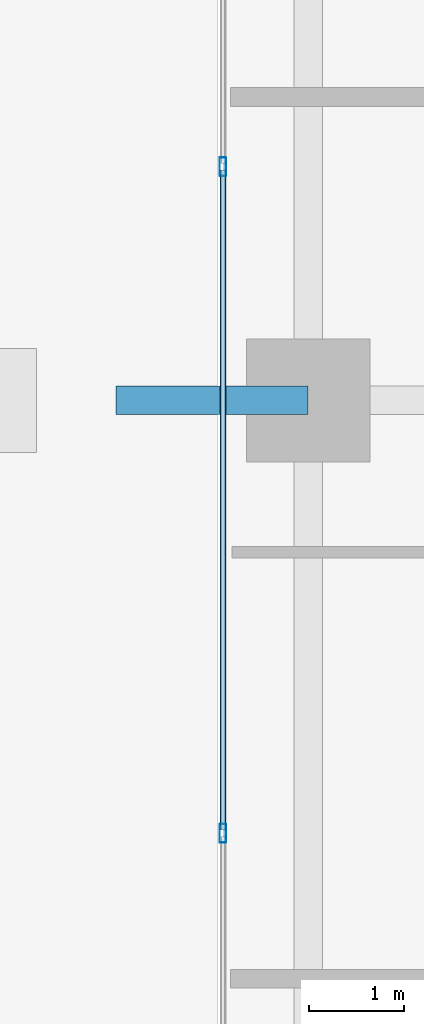
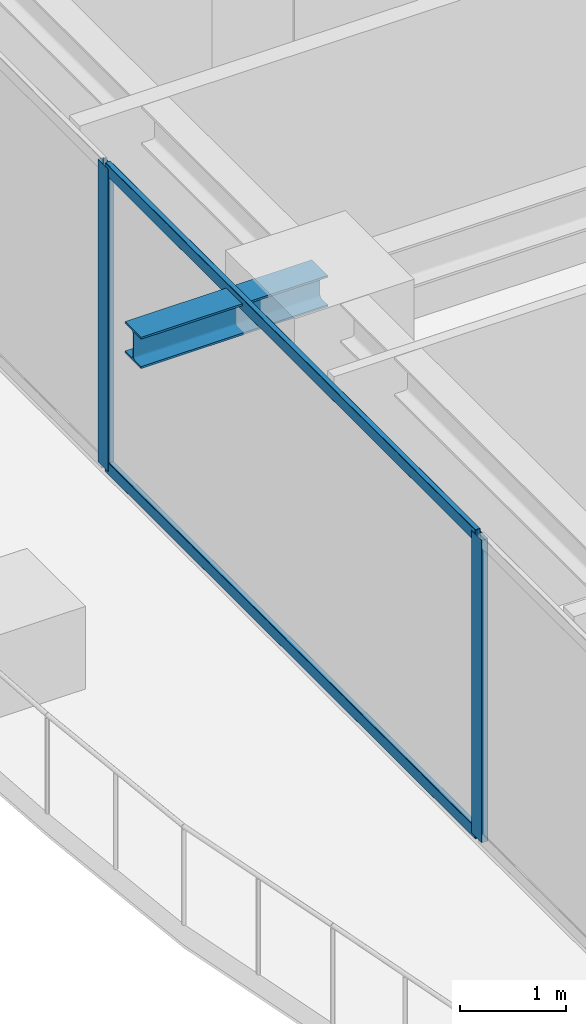
# One storey, part 8 of 37: 4 members, 1 beam, 1 element without a shape of its own.
"""IFC4 building model written with IfcOpenShell, lengths in metres."""

from ifc_helpers import new_model, si_unit, direction, frame, origin, origin_2d, place, context, subcontext, project, spatial, hollow_rectangle, i_section, extrude, source, transform, mapped, material, layer, layer_set, material_profile, profile_set, type_object, element, aggregate, save


model = new_model("IFC4")

# Units and contexts
model_context = context("Model", 3, precision=1e-05, world=origin(), true_north=direction((0.0, 1.0)))
body_context = subcontext(model_context, "Body", "Model", "MODEL_VIEW")
ifc_project = project(units=[si_unit("LENGTHUNIT", "METRE"), si_unit("AREAUNIT", "SQUARE_METRE"), si_unit("VOLUMEUNIT", "CUBIC_METRE"), si_unit("PLANEANGLEUNIT", "RADIAN"), si_unit("MASSUNIT", "GRAM", prefix="KILO")], contexts=[model_context])

# Site, building, storey
site_placement = place(None, origin())
site = spatial("IfcSite", under=ifc_project, at=site_placement, CompositionType="ELEMENT")
building_placement = place(site_placement, origin())
building = spatial("IfcBuilding", under=site, at=building_placement, Name="Serunith Strait Residences", CompositionType="ELEMENT")
storey_placement = place(building_placement, frame((0.0, 0.0, 127.64990234375)))
storey = spatial("IfcBuildingStorey", under=building, at=storey_placement, Name="L31", CompositionType="ELEMENT", Elevation=127.64990234375)

# Beam
ifc_material_1 = material(Name="Steel S355J2", Category="steel")
ifc_material_profile_1 = material_profile(ifc_material_1, i_section(OverallWidth=0.300048828125, OverallDepth=0.360107421875, WebThickness=0.012451171875, FlangeThickness=0.0224609375, FilletRadius=0.027099609375, at=origin_2d()), Name="HEB 360")
ifc_profile_set_1 = profile_set([ifc_material_profile_1], Name="Steel S355J2")
beam_type = type_object("IfcBeamType", Name="BM-HEB360", PredefinedType="BEAM", material=ifc_profile_set_1)
shared_shape_1 = source(origin(), body_context, "Body", "SweptSolid", [
    extrude(i_section(OverallWidth=0.300048828125, OverallDepth=0.360107421875, WebThickness=0.012451171875, FlangeThickness=0.0224609375, FilletRadius=0.027099609375, at=origin_2d()), origin(), (0.0, 0.0, 1.0), 2.030029296875),
])
beam_placement = place(storey_placement, frame((8.699951171875, 21.0, 3.277099609375), z_axis=(-1.0, 0.0, 0.0), x_axis=(0.0, -1.0, 0.0)))
element("IfcBeam", 1, at=beam_placement, inside=storey, type_object=beam_type, Name="L32 Cantilevered Balcony Rib TC-W2", PredefinedType="BEAM", context=body_context, shape_type="MappedRepresentation", body=[
    mapped(shared_shape_1, transform((0.0, 0.0, 0.0), scale=1.0)),
])

# Curtain wall, members
ifc_material_2 = material(Name="Pale-Champagne Anodised Aluminium", Category="aluminium")
ifc_layer = layer(ifc_material_2, 0.199951171875, Name="Pale-Champagne Anodised Aluminium")
ifc_layer_set = layer_set([ifc_layer], Name="Pale-Champagne Anodised Aluminium")
curtain_wall_type = type_object("IfcCurtainWallType", Name="CW-SYS2", PredefinedType="NOTDEFINED", material=ifc_layer_set)
curtain_wall_placement = place(storey_placement, origin())
curtain_wall = element("IfcCurtainWall", 2, at=curtain_wall_placement, inside=storey, type_object=curtain_wall_type, Name="L31 W Unitised Fritted Curtain Wall", PredefinedType="NOTDEFINED")
ifc_material_profile_2 = material_profile(ifc_material_2, hollow_rectangle(XDim=0.070068359375, YDim=0.199951171875, WallThickness=0.00390625, InnerFilletRadius=0.006103515625, OuterFilletRadius=0.010009765625, at=origin_2d()), Name="ALU 200x70x4")
ifc_profile_set_2 = profile_set([ifc_material_profile_2], Name="Pale-Champagne Anodised Aluminium")
member_type_1 = type_object("IfcMemberType", Name="CW-SYS2-MULL", PredefinedType="MULLION", material=ifc_profile_set_2)
shared_shape_2 = source(origin(), body_context, "Body", "SweptSolid", [
    extrude(hollow_rectangle(XDim=0.070068359375, YDim=0.199951171875, WallThickness=0.00390625, InnerFilletRadius=0.006103515625, OuterFilletRadius=0.010009765625, at=origin_2d()), origin(), (0.0, 0.0, 1.0), 3.47509765625),
])
member_1_placement = place(storey_placement, frame((7.800048828125, 23.466552734375, 0.0), z_axis=(0.0, 0.0, 1.0), x_axis=(1.0, 0.0, 0.0)))
member_1 = element("IfcMember", 3, at=member_1_placement, type_object=member_type_1, Name="CW-2 mullion 2", PredefinedType="MULLION", context=body_context, shape_type="MappedRepresentation", body=[
    mapped(shared_shape_2, transform((0.0, 0.0, 0.0), scale=1.0)),
])
member_2_placement = place(storey_placement, frame((7.800048828125, 16.433349609375, 0.0), z_axis=(0.0, 0.0, 1.0), x_axis=(1.0, 0.0, 0.0)))
member_2 = element("IfcMember", 4, at=member_2_placement, type_object=member_type_1, Name="CW-2 mullion 3", PredefinedType="MULLION", context=body_context, shape_type="MappedRepresentation", body=[
    mapped(shared_shape_2, transform((0.0, 0.0, 0.0), scale=1.0)),
])
ifc_material_profile_3 = material_profile(ifc_material_2, hollow_rectangle(XDim=0.06005859375, YDim=0.139892578125, WallThickness=0.00341796875, InnerFilletRadius=0.00537109375, OuterFilletRadius=0.0087890625, at=origin_2d()), Name="ALU 140x60x3.5")
ifc_profile_set_3 = profile_set([ifc_material_profile_3], Name="Pale-Champagne Anodised Aluminium")
member_type_2 = type_object("IfcMemberType", Name="CW-SYS2-TRAN", PredefinedType="USERDEFINED", material=ifc_profile_set_3)
shared_shape_3 = source(origin(), body_context, "Body", "SweptSolid", [
    extrude(hollow_rectangle(XDim=0.06005859375, YDim=0.139892578125, WallThickness=0.00341796875, InnerFilletRadius=0.00537109375, OuterFilletRadius=0.0087890625, at=origin_2d()), origin(), (0.0, 0.0, 1.0), 6.96337890625),
])
member_3_placement = place(storey_placement, frame((7.800048828125, 23.431640625, 0.030029296875), z_axis=(0.0, -1.0, 0.0), x_axis=(1.0, 0.0, 0.0)))
member_3 = element("IfcMember", 5, at=member_3_placement, type_object=member_type_2, Name="CW-2 transom 2.1", ObjectType="TRANSOM", PredefinedType="USERDEFINED", context=body_context, shape_type="MappedRepresentation", body=[
    mapped(shared_shape_3, transform((0.0, 0.0, 0.0), scale=1.0)),
])
member_4_placement = place(storey_placement, frame((7.800048828125, 23.431640625, 3.445068359375), z_axis=(0.0, -1.0, 0.0), x_axis=(1.0, 0.0, 0.0)))
member_4 = element("IfcMember", 6, at=member_4_placement, type_object=member_type_2, Name="CW-2 transom 2.2", ObjectType="TRANSOM", PredefinedType="USERDEFINED", context=body_context, shape_type="MappedRepresentation", body=[
    mapped(shared_shape_3, transform((0.0, 0.0, 0.0), scale=1.0)),
])
aggregate(curtain_wall, [member_1, member_2, member_3, member_4])

save(model, "model.ifc")
